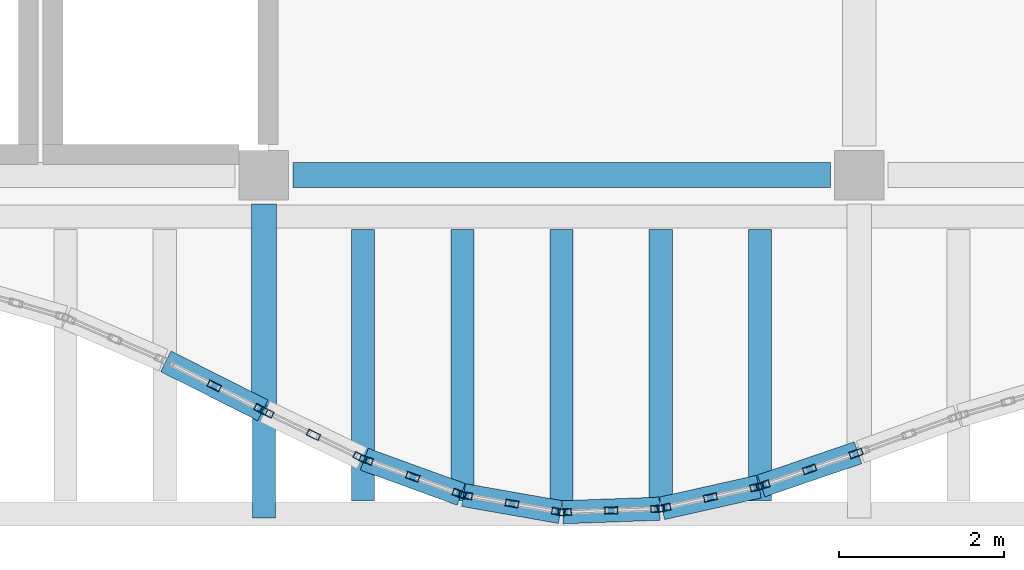
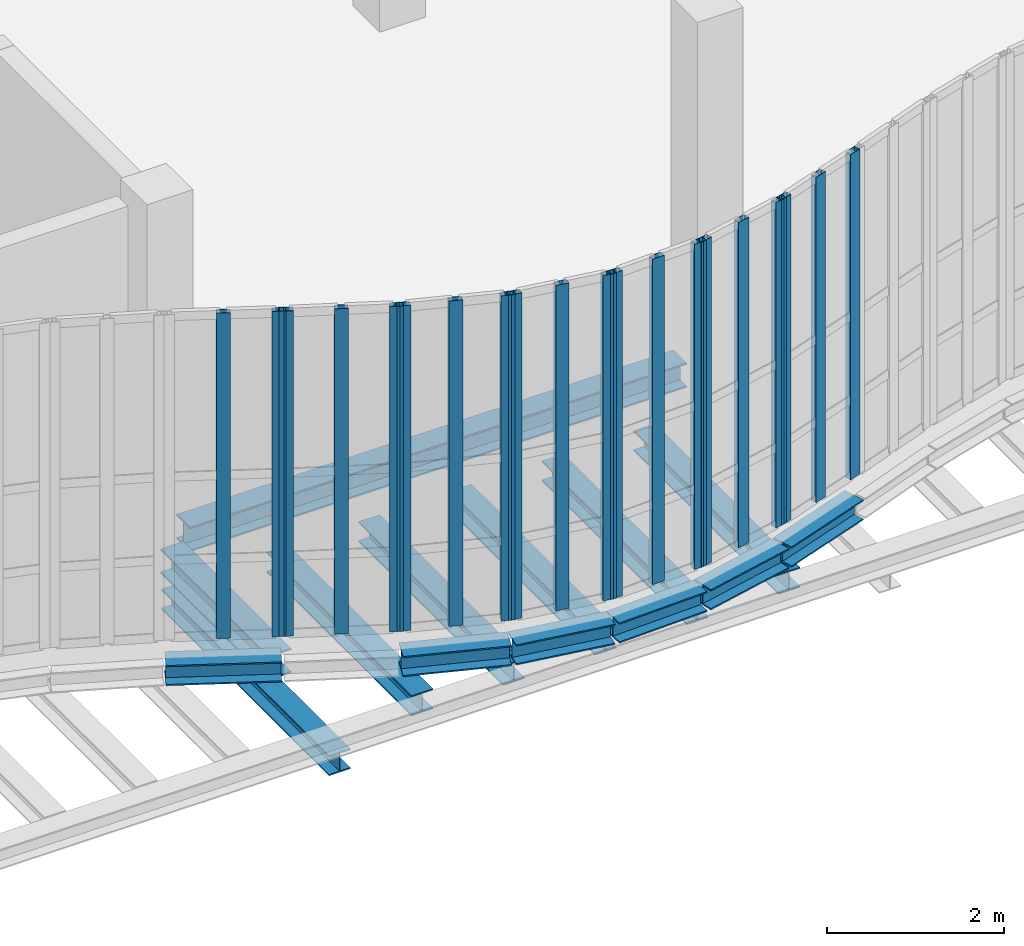
# One storey, part 23 of 105: 20 members, 14 beams, 7 elements without a shape of their own.
"""IFC4 building model written with IfcOpenShell, lengths in metres."""

import ifcopenshell
import ifcopenshell.guid

model = None  # the IFC model being written
_history = None  # IfcOwnerHistory: only IFC2X3 demands one
_inside = {}  # id of a spatial element -> (the spatial element, [elements in it])
_under = {}  # id of a project, library or spatial element -> (it, [spatial elements below it])
_declared = {}  # id of a project -> (the project, [libraries it declares])
_typed = {}  # id of a type object -> (the type object, [elements of that type])
_made_of = {}  # id of a material, layer set ... -> (it, [elements and type objects made of it])


def new_model(schema):
    """Start an empty IFC model of exactly this schema.

    Asked for "IFC4X3", IfcOpenShell would pick the latest addendum, in which some entities
    have other attributes; the version numbers below select the first issue.
    IFC2X3 requires an IfcOwnerHistory on every rooted entity: one is made here for all.
    """
    global model, _history
    if schema == "IFC4X3":
        model = ifcopenshell.file(schema_version=(4, 3, 0, 0))
    else:
        model = ifcopenshell.file(schema=schema)
    _inside.clear()
    _under.clear()
    _declared.clear()
    _typed.clear()
    _made_of.clear()
    _history = None
    if model.schema == "IFC2X3":
        org = make("IfcOrganization", Name="unknown")
        user = make(
            "IfcPersonAndOrganization",
            ThePerson=make("IfcPerson", FamilyName="unknown"),
            TheOrganization=org,
        )
        app = make(
            "IfcApplication",
            ApplicationDeveloper=org,
            Version="unknown",
            ApplicationFullName="unknown",
            ApplicationIdentifier="unknown",
        )
        _history = make(
            "IfcOwnerHistory",
            OwningUser=user,
            OwningApplication=app,
            ChangeAction="ADDED",
            CreationDate=0,
        )
    return model


def make(cls, **values):
    """One entity of the class cls with the attributes given. An attribute that is None is left unset."""
    return model.create_entity(
        cls, **{name: value for name, value in values.items() if value is not None}
    )


def rooted(cls, **values):
    """An entity with a GlobalId (a new one), such as an element, a storey or a relation."""
    return make(cls, GlobalId=ifcopenshell.guid.new(), OwnerHistory=_history, **values)


def si_unit(unit_type, name, prefix=None):
    """IfcSIUnit, for example si_unit("LENGTHUNIT", "METRE", prefix="MILLI")."""
    return make("IfcSIUnit", UnitType=unit_type, Prefix=prefix, Name=name)


def assignment(units):
    """IfcUnitAssignment: the units of a project."""
    return None if units is None else make("IfcUnitAssignment", Units=units)


def point(xyz):
    """IfcCartesianPoint."""
    return None if xyz is None else make("IfcCartesianPoint", Coordinates=xyz)


def direction(xyz):
    """IfcDirection."""
    return None if xyz is None else make("IfcDirection", DirectionRatios=xyz)


def frame(location, z_axis=None, x_axis=None):
    """IfcAxis2Placement3D, a coordinate frame: its origin and axes. An axis left out is left unset."""
    return make(
        "IfcAxis2Placement3D",
        Location=point(location),
        Axis=direction(z_axis),
        RefDirection=direction(x_axis),
    )


def frame_2d(location, x_axis=None):
    """IfcAxis2Placement2D, a coordinate frame in the plane: its origin and x axis."""
    return make(
        "IfcAxis2Placement2D", Location=point(location), RefDirection=direction(x_axis)
    )


def origin():
    """The frame at (0, 0, 0) with its axes left unset."""
    return frame((0.0, 0.0, 0.0))


def origin_2d():
    """The frame at (0, 0) in the plane with its x axis left unset."""
    return frame_2d((0.0, 0.0))


def place(relative_to, where):
    """IfcLocalPlacement: puts the frame where relative to a parent placement (None: the world)."""
    return make(
        "IfcLocalPlacement", PlacementRelTo=relative_to, RelativePlacement=where
    )


def context(
    kind, dimensions, precision=None, world=None, true_north=None, identifier=None
):
    """IfcGeometricRepresentationContext, for example the 3D "Model" context."""
    return make(
        "IfcGeometricRepresentationContext",
        ContextIdentifier=identifier,
        ContextType=kind,
        CoordinateSpaceDimension=dimensions,
        Precision=precision,
        WorldCoordinateSystem=world,
        TrueNorth=true_north,
    )


def subcontext(parent, identifier, kind, view, scale=None):
    """IfcGeometricRepresentationSubContext, for example "Body" below "Model"."""
    return make(
        "IfcGeometricRepresentationSubContext",
        ContextIdentifier=identifier,
        ContextType=kind,
        ParentContext=parent,
        TargetScale=scale,
        TargetView=view,
    )


def project(units=None, contexts=None):
    """IfcProject with its units and contexts."""
    return rooted(
        "IfcProject",
        Name="project",
        RepresentationContexts=contexts,
        UnitsInContext=assignment(units),
    )


def spatial(cls, under=None, at=None, **own):
    """A site, building, storey or space (cls), placed at a placement, below another one or the project."""
    s = rooted(cls, ObjectPlacement=at, **own)
    if under is not None:
        _under.setdefault(under.id(), (under, []))[1].append(s)
    return s


def profile(cls, at=None, kind="AREA", **sizes):
    """A parametric profile (cls). Its sizes go by their IFC names, for example OverallWidth=200.0."""
    return make(cls, ProfileType=kind, Position=at, **sizes)


def hollow_rectangle(**sizes):
    """IfcRectangleHollowProfileDef."""
    return profile("IfcRectangleHollowProfileDef", **sizes)


def i_section(**sizes):
    """IfcIShapeProfileDef."""
    return profile("IfcIShapeProfileDef", **sizes)


def extrude(swept, where, along, depth):
    """IfcExtrudedAreaSolid: the profile swept, set in the frame where, extruded along a direction by depth."""
    return make(
        "IfcExtrudedAreaSolid",
        SweptArea=swept,
        Position=where,
        ExtrudedDirection=direction(along),
        Depth=depth,
    )


def shape(context_of_items, identifier, shape_type, items):
    """IfcShapeRepresentation: the items that make up one representation, for example the "Body"."""
    return make(
        "IfcShapeRepresentation",
        ContextOfItems=context_of_items,
        RepresentationIdentifier=identifier,
        RepresentationType=shape_type,
        Items=items,
    )


def material(Name=None, Category=None):
    """IfcMaterial."""
    return make("IfcMaterial", Name=Name, Category=Category)


def layer(
    of_material, thickness, ventilated=None, Name=None, Category=None, Priority=None
):
    """IfcMaterialLayer: one layer of a wall or slab, of a material (None: an air gap)."""
    return make(
        "IfcMaterialLayer",
        Material=of_material,
        LayerThickness=thickness,
        IsVentilated=ventilated,
        Name=Name,
        Category=Category,
        Priority=Priority,
    )


def layer_set(layers, Name=None):
    """IfcMaterialLayerSet."""
    return make("IfcMaterialLayerSet", MaterialLayers=layers, LayerSetName=Name)


def material_profile(
    of_material, cross_section, Name=None, Category=None, Priority=None
):
    """IfcMaterialProfile: a cross section and its material."""
    return make(
        "IfcMaterialProfile",
        Name=Name,
        Material=of_material,
        Profile=cross_section,
        Priority=Priority,
        Category=Category,
    )


def profile_set(profiles, Name=None, composite=None):
    """IfcMaterialProfileSet."""
    return make(
        "IfcMaterialProfileSet",
        Name=Name,
        MaterialProfiles=profiles,
        CompositeProfile=composite,
    )


def made_of(thing, what):
    """Note that an element or type object is made of a material, layer set ...; save() writes the relation."""
    if what is not None:
        _made_of.setdefault(what.id(), (what, []))[1].append(thing)
    return thing


def type_object(cls, material=None, **own):
    """A type object (cls), such as IfcWallType, which elements share."""
    return made_of(rooted(cls, **own), material)


def element(
    cls,
    number,
    at=None,
    inside=None,
    cuts=None,
    type_object=None,
    material=None,
    context=None,
    identifier="Body",
    shape_type=None,
    held_by="IfcProductDefinitionShape",
    body=None,
    shapes=None,
    **own,
):
    """One element of the class cls, such as IfcWall. Its Tag is "e" and its number.

    at: its placement. inside: the storey or other place that contains it. cuts: it is an
    opening in that element (IfcRelVoidsElement). A single representation is given by context,
    identifier, shape_type and body (its items); several are given by shapes. held_by: the class
    of the entity that holds the representations. save() writes the other relations.
    """
    e = rooted(cls, Tag="e%d" % number, ObjectPlacement=at, **own)
    if body is not None:
        shapes = [shape(context, identifier, shape_type, body)]
    if shapes is not None:
        e.Representation = make(held_by, Representations=shapes)
    if inside is not None:
        _inside.setdefault(inside.id(), (inside, []))[1].append(e)
    if cuts is not None:
        rooted(
            "IfcRelVoidsElement", RelatingBuildingElement=cuts, RelatedOpeningElement=e
        )
    if type_object is not None:
        _typed.setdefault(type_object.id(), (type_object, []))[1].append(e)
    return made_of(e, material)


def aggregate(whole, parts):
    """IfcRelAggregates: a whole, such as a stair, and the parts it consists of."""
    return rooted("IfcRelAggregates", RelatingObject=whole, RelatedObjects=parts)


def save(model, path):
    """Write the relations noted so far, then the file.

    IfcRelAggregates (storeys below a building ...), IfcRelContainedInSpatialStructure (elements
    in a storey), IfcRelDefinesByType, IfcRelAssociatesMaterial and IfcRelDeclares: one each for
    every whole, place, type object, material and project.
    """
    for whole, parts in _under.values():
        aggregate(whole, parts)
    for where, things in _inside.values():
        rooted(
            "IfcRelContainedInSpatialStructure",
            RelatedElements=things,
            RelatingStructure=where,
        )
    for kind, things in _typed.values():
        rooted("IfcRelDefinesByType", RelatedObjects=things, RelatingType=kind)
    for what, things in _made_of.values():
        rooted("IfcRelAssociatesMaterial", RelatedObjects=things, RelatingMaterial=what)
    for by, libraries in _declared.values():
        rooted("IfcRelDeclares", RelatingContext=by, RelatedDefinitions=libraries)
    model.write(path)


model = new_model("IFC4")

# Units and contexts
model_context = context("Model", 3, precision=1e-05, world=origin(), true_north=direction((0.0, 1.0)))
body_context = subcontext(model_context, "Body", "Model", "MODEL_VIEW")
ifc_project = project(units=[si_unit("LENGTHUNIT", "METRE"), si_unit("AREAUNIT", "SQUARE_METRE"), si_unit("VOLUMEUNIT", "CUBIC_METRE"), si_unit("PLANEANGLEUNIT", "RADIAN"), si_unit("MASSUNIT", "GRAM", prefix="KILO"), si_unit("THERMODYNAMICTEMPERATUREUNIT", "KELVIN"), si_unit("POWERUNIT", "WATT")], contexts=[model_context])

# Site, building, storey
site_placement = place(None, origin())
site = spatial("IfcSite", under=ifc_project, at=site_placement, CompositionType="ELEMENT")
building_placement = place(site_placement, origin())
building = spatial("IfcBuilding", under=site, at=building_placement, Name="Kaldorven Railside Theatre", CompositionType="ELEMENT")
storey_placement = place(building_placement, frame((0.0, 0.0, 9.89990234375)))
storey = spatial("IfcBuildingStorey", under=building, at=storey_placement, Name="L02", CompositionType="ELEMENT", Elevation=9.89990234375)

# Beams
ifc_material_1 = material(Name="Steel S355", Category="steel")
ifc_material_profile_1 = material_profile(ifc_material_1, i_section(OverallWidth=0.280029296875, OverallDepth=0.280029296875, WebThickness=0.010498046875, FlangeThickness=0.01806640625, at=origin_2d()), Name="HEB 280")
ifc_profile_set_1 = profile_set([ifc_material_profile_1], Name="Steel S355")
beam_type_1 = type_object("IfcBeamType", Name="BM-HEB280", PredefinedType="SPANDREL", material=ifc_profile_set_1)
beam_1_placement = place(storey_placement, frame((72.800048828125, 15.050048828125, -0.97998046875), z_axis=(0.0, 1.0, 0.0), x_axis=(-1.0, 0.0, 0.0)))
element("IfcBeam", 1, at=beam_1_placement, inside=storey, type_object=beam_type_1, Name="L02 Sinusoidal Lower Cantilever Girder FOB-K018", PredefinedType="SPANDREL", context=body_context, shape_type="SweptSolid", body=[
    extrude(i_section(OverallWidth=0.280029296875, OverallDepth=0.280029296875, WebThickness=0.010498046875, FlangeThickness=0.01806640625, at=origin_2d()), origin(), (0.0, 0.0, 1.0), 3.800048828125),
])
beam_2_placement = place(storey_placement, frame((71.61328125, 16.947509765625, -0.419921875), z_axis=(0.89233799867, -0.451367805819, 0.0), x_axis=(0.451367805819, 0.89233799867, 0.0)))
element("IfcBeam", 2, at=beam_2_placement, inside=storey, type_object=beam_type_1, Name="L02 Sinusoidal Flute Edge Spandrel FSB-102", PredefinedType="SPANDREL", context=body_context, shape_type="SweptSolid", body=[
    extrude(i_section(OverallWidth=0.280029296875, OverallDepth=0.280029296875, WebThickness=0.010498046875, FlangeThickness=0.01806640625, at=origin_2d()), origin(), (0.0, 0.0, 1.0), 1.31494140625),
])
beam_3_placement = place(storey_placement, frame((74.01416015625, 15.763671875, -0.419921875), z_axis=(0.939736236854, -0.341900285382, 0.0), x_axis=(0.341900285382, 0.939736236854, 0.0)))
element("IfcBeam", 3, at=beam_3_placement, inside=storey, type_object=beam_type_1, Name="L02 Sinusoidal Flute Edge Spandrel FSB-104", PredefinedType="SPANDREL", context=body_context, shape_type="SweptSolid", body=[
    extrude(i_section(OverallWidth=0.280029296875, OverallDepth=0.280029296875, WebThickness=0.010498046875, FlangeThickness=0.01806640625, at=origin_2d()), origin(), (0.0, 0.0, 1.0), 1.246826171875),
])
beam_4_placement = place(storey_placement, frame((74.0, 15.260009765625, -0.699951171875), z_axis=(0.0, 1.0, 0.0), x_axis=(-1.0, 0.0, 0.0)))
element("IfcBeam", 4, at=beam_4_placement, inside=storey, type_object=beam_type_1, Name="L02 Sinusoidal Diaphragm Rib Outrigger FOB-M104", PredefinedType="SPANDREL", context=body_context, shape_type="SweptSolid", body=[
    extrude(i_section(OverallWidth=0.280029296875, OverallDepth=0.280029296875, WebThickness=0.010498046875, FlangeThickness=0.01806640625, at=origin_2d()), origin(), (0.0, 0.0, 1.0), 3.280029296875),
])
beam_5_placement = place(storey_placement, frame((75.21484375, 15.32958984375, -0.419921875), z_axis=(0.984888856029, -0.173187589827, 0.0), x_axis=(0.173187589827, 0.984888856029, 0.0)))
element("IfcBeam", 5, at=beam_5_placement, inside=storey, type_object=beam_type_1, Name="L02 Sinusoidal Flute Edge Spandrel FSB-105", PredefinedType="SPANDREL", context=body_context, shape_type="SweptSolid", body=[
    extrude(i_section(OverallWidth=0.280029296875, OverallDepth=0.280029296875, WebThickness=0.010498046875, FlangeThickness=0.01806640625, at=origin_2d()), origin(), (0.0, 0.0, 1.0), 1.1884765625),
])
beam_6_placement = place(storey_placement, frame((75.199951171875, 15.260009765625, -0.699951171875), z_axis=(0.0, 1.0, 0.0), x_axis=(-1.0, 0.0, 0.0)))
element("IfcBeam", 6, at=beam_6_placement, inside=storey, type_object=beam_type_1, Name="L02 Sinusoidal Diaphragm Rib Outrigger FOB-M105", PredefinedType="SPANDREL", context=body_context, shape_type="SweptSolid", body=[
    extrude(i_section(OverallWidth=0.280029296875, OverallDepth=0.280029296875, WebThickness=0.010498046875, FlangeThickness=0.01806640625, at=origin_2d()), origin(), (0.0, 0.0, 1.0), 3.280029296875),
])
beam_7_placement = place(storey_placement, frame((76.4150390625, 15.121826171875, -0.419921875), z_axis=(0.999318542443, 0.036911390236, 0.0), x_axis=(-0.036911390236, 0.999318542443, 0.0)))
element("IfcBeam", 7, at=beam_7_placement, inside=storey, type_object=beam_type_1, Name="L02 Sinusoidal Flute Edge Spandrel FSB-106", PredefinedType="SPANDREL", context=body_context, shape_type="SweptSolid", body=[
    extrude(i_section(OverallWidth=0.280029296875, OverallDepth=0.280029296875, WebThickness=0.010498046875, FlangeThickness=0.01806640625, at=origin_2d()), origin(), (0.0, 0.0, 1.0), 1.170654296875),
])
beam_8_placement = place(storey_placement, frame((76.39990234375, 15.260009765625, -0.699951171875), z_axis=(0.0, 1.0, 0.0), x_axis=(-1.0, 0.0, 0.0)))
element("IfcBeam", 8, at=beam_8_placement, inside=storey, type_object=beam_type_1, Name="L02 Sinusoidal Diaphragm Rib Outrigger FOB-M106", PredefinedType="SPANDREL", context=body_context, shape_type="SweptSolid", body=[
    extrude(i_section(OverallWidth=0.280029296875, OverallDepth=0.280029296875, WebThickness=0.010498046875, FlangeThickness=0.01806640625, at=origin_2d()), origin(), (0.0, 0.0, 1.0), 3.280029296875),
])
beam_9_placement = place(storey_placement, frame((77.614501953125, 15.1689453125, -0.419921875), z_axis=(0.975701165167, 0.219105536882, 0.0), x_axis=(-0.219105536882, 0.975701165167, 0.0)))
element("IfcBeam", 9, at=beam_9_placement, inside=storey, type_object=beam_type_1, Name="L02 Sinusoidal Flute Edge Spandrel FSB-107", PredefinedType="SPANDREL", context=body_context, shape_type="SweptSolid", body=[
    extrude(i_section(OverallWidth=0.280029296875, OverallDepth=0.280029296875, WebThickness=0.010498046875, FlangeThickness=0.01806640625, at=origin_2d()), origin(), (0.0, 0.0, 1.0), 1.199951171875),
])
beam_10_placement = place(storey_placement, frame((77.60009765625, 15.260009765625, -0.699951171875), z_axis=(0.0, 1.0, 0.0), x_axis=(-1.0, 0.0, 0.0)))
element("IfcBeam", 10, at=beam_10_placement, inside=storey, type_object=beam_type_1, Name="L02 Sinusoidal Diaphragm Rib Outrigger FOB-M107", PredefinedType="SPANDREL", context=body_context, shape_type="SweptSolid", body=[
    extrude(i_section(OverallWidth=0.280029296875, OverallDepth=0.280029296875, WebThickness=0.010498046875, FlangeThickness=0.01806640625, at=origin_2d()), origin(), (0.0, 0.0, 1.0), 3.280029296875),
])
beam_11_placement = place(storey_placement, frame((78.814208984375, 15.440185546875, -0.419921875), z_axis=(0.946028856663, 0.324082400574, 0.0), x_axis=(-0.324082400574, 0.946028856663, 0.0)))
element("IfcBeam", 11, at=beam_11_placement, inside=storey, type_object=beam_type_1, Name="L02 Sinusoidal Flute Edge Spandrel FSB-108", PredefinedType="SPANDREL", context=body_context, shape_type="SweptSolid", body=[
    extrude(i_section(OverallWidth=0.280029296875, OverallDepth=0.280029296875, WebThickness=0.010498046875, FlangeThickness=0.01806640625, at=origin_2d()), origin(), (0.0, 0.0, 1.0), 1.238525390625),
])
beam_12_placement = place(storey_placement, frame((78.800048828125, 15.260009765625, -0.699951171875), z_axis=(0.0, 1.0, 0.0), x_axis=(-1.0, 0.0, 0.0)))
element("IfcBeam", 12, at=beam_12_placement, inside=storey, type_object=beam_type_1, Name="L02 Sinusoidal Diaphragm Rib Outrigger FOB-M108", PredefinedType="SPANDREL", context=body_context, shape_type="SweptSolid", body=[
    extrude(i_section(OverallWidth=0.280029296875, OverallDepth=0.280029296875, WebThickness=0.010498046875, FlangeThickness=0.01806640625, at=origin_2d()), origin(), (0.0, 0.0, 1.0), 3.280029296875),
])
ifc_material_profile_2 = material_profile(ifc_material_1, i_section(OverallWidth=0.300048828125, OverallDepth=0.340087890625, WebThickness=0.011962890625, FlangeThickness=0.021484375, at=origin_2d()), Name="HEB 340")
ifc_profile_set_2 = profile_set([ifc_material_profile_2], Name="Steel S355")
beam_type_2 = type_object("IfcBeamType", Name="BM-HEB340", PredefinedType="SPANDREL", material=ifc_profile_set_2)
beam_13_placement = place(storey_placement, frame((73.14990234375, 19.199951171875, -0.449951171875), z_axis=(1.0, 0.0, 0.0), x_axis=(0.0, 1.0, 0.0)))
element("IfcBeam", 13, at=beam_13_placement, inside=storey, type_object=beam_type_2, Name="L02 Girder BGX-L02-072-019", PredefinedType="SPANDREL", context=body_context, shape_type="SweptSolid", body=[
    extrude(i_section(OverallWidth=0.300048828125, OverallDepth=0.340087890625, WebThickness=0.011962890625, FlangeThickness=0.021484375, at=origin_2d()), origin(), (0.0, 0.0, 1.0), 6.5),
])
beam_14_placement = place(storey_placement, frame((72.800048828125, 16.4072265625, -0.449951171875), z_axis=(0.0, 1.0, 0.0), x_axis=(-1.0, 0.0, 0.0)))
element("IfcBeam", 14, at=beam_14_placement, inside=storey, type_object=beam_type_2, Name="L02 Sinusoidal Veil Outrigger FOB-2072", PredefinedType="SPANDREL", context=body_context, shape_type="SweptSolid", body=[
    extrude(i_section(OverallWidth=0.300048828125, OverallDepth=0.340087890625, WebThickness=0.011962890625, FlangeThickness=0.021484375, at=origin_2d()), origin(), (0.0, 0.0, 1.0), 2.44287109375),
])

# Curtain wall, members
ifc_material_2 = material(Name="Low-E laminated solar-control glass", Category="glass")
ifc_layer_1 = layer(ifc_material_2, 0.159912109375, Name="Low-E laminated solar-control glass")
ifc_layer_set_1 = layer_set([ifc_layer_1], Name="Low-E laminated solar-control glass")
curtain_wall_type_1 = type_object("IfcCurtainWallType", Name="CWT-06", PredefinedType="USERDEFINED", material=ifc_layer_set_1)
curtain_wall_1_placement = place(storey_placement, origin())
curtain_wall_1 = element("IfcCurtainWall", 15, at=curtain_wall_1_placement, inside=storey, type_object=curtain_wall_type_1, Name="Sinusoidal Fluted Curtain Wall CW-L02-S30", ObjectType="FLUTED GLAZING", PredefinedType="USERDEFINED")
ifc_material_3 = material(Name="Anodised bronze aluminium", Category="aluminium")
ifc_material_profile_3 = material_profile(ifc_material_3, hollow_rectangle(XDim=0.080078125, YDim=0.159912109375, WallThickness=0.00634765625, at=origin_2d()), Name="RHS 160x80x6.3")
ifc_profile_set_3 = profile_set([ifc_material_profile_3], Name="Anodised bronze aluminium")
member_type = type_object("IfcMemberType", Name="CWM-160", PredefinedType="MULLION", material=ifc_profile_set_3)
member_1_placement = place(storey_placement, frame((72.199951171875, 16.65087890625, 0.0), z_axis=(0.0, 0.0, 1.0), x_axis=(0.451432188451, 0.89230542934, 0.0)))
member_1 = element("IfcMember", 16, at=member_1_placement, type_object=member_type, Name="CW-L02-S30 mullion 2", PredefinedType="MULLION", context=body_context, shape_type="SweptSolid", body=[
    extrude(hollow_rectangle(XDim=0.080078125, YDim=0.159912109375, WallThickness=0.00634765625, at=origin_2d()), origin(), (0.0, 0.0, 1.0), 4.5),
])
member_2_placement = place(storey_placement, frame((72.764404296875, 16.365478515625, 0.0), z_axis=(0.0, 0.0, 1.0), x_axis=(0.451432188451, 0.89230542934, 0.0)))
member_2 = element("IfcMember", 17, at=member_2_placement, type_object=member_type, Name="CW-L02-S30 mullion 3", PredefinedType="MULLION", context=body_context, shape_type="SweptSolid", body=[
    extrude(hollow_rectangle(XDim=0.080078125, YDim=0.159912109375, WallThickness=0.00634765625, at=origin_2d()), origin(), (0.0, 0.0, 1.0), 4.5),
])
aggregate(curtain_wall_1, [member_1, member_2])

curtain_wall_2_placement = place(storey_placement, origin())
curtain_wall_2 = element("IfcCurtainWall", 18, at=curtain_wall_2_placement, inside=storey, type_object=curtain_wall_type_1, Name="Sinusoidal Fluted Curtain Wall CW-L02-S31", ObjectType="FLUTED GLAZING", PredefinedType="USERDEFINED")
member_3_placement = place(storey_placement, frame((72.8359375, 16.329833984375, 0.0), z_axis=(0.0, 0.0, 1.0), x_axis=(0.434255680006, 0.900789656015, 0.0)))
member_3 = element("IfcMember", 19, at=member_3_placement, type_object=member_type, Name="CW-L02-S31 mullion 1", PredefinedType="MULLION", context=body_context, shape_type="SweptSolid", body=[
    extrude(hollow_rectangle(XDim=0.080078125, YDim=0.159912109375, WallThickness=0.00634765625, at=origin_2d()), origin(), (0.0, 0.0, 1.0), 4.5),
])
member_4_placement = place(storey_placement, frame((73.39990234375, 16.05810546875, 0.0), z_axis=(0.0, 0.0, 1.0), x_axis=(0.434255680006, 0.900789656015, 0.0)))
member_4 = element("IfcMember", 20, at=member_4_placement, type_object=member_type, Name="CW-L02-S31 mullion 2", PredefinedType="MULLION", context=body_context, shape_type="SweptSolid", body=[
    extrude(hollow_rectangle(XDim=0.080078125, YDim=0.159912109375, WallThickness=0.00634765625, at=origin_2d()), origin(), (0.0, 0.0, 1.0), 4.5),
])
member_5_placement = place(storey_placement, frame((73.9638671875, 15.7861328125, 0.0), z_axis=(0.0, 0.0, 1.0), x_axis=(0.434255680006, 0.900789656015, 0.0)))
member_5 = element("IfcMember", 21, at=member_5_placement, type_object=member_type, Name="CW-L02-S31 mullion 3", PredefinedType="MULLION", context=body_context, shape_type="SweptSolid", body=[
    extrude(hollow_rectangle(XDim=0.080078125, YDim=0.159912109375, WallThickness=0.00634765625, at=origin_2d()), origin(), (0.0, 0.0, 1.0), 4.5),
])
aggregate(curtain_wall_2, [member_3, member_4, member_5])

ifc_layer_2 = layer(ifc_material_2, 0.159912109375, Name="Low-E laminated solar-control glass")
ifc_layer_set_2 = layer_set([ifc_layer_2], Name="Low-E laminated solar-control glass")
curtain_wall_type_2 = type_object("IfcCurtainWallType", Name="CWT-01", PredefinedType="USERDEFINED", material=ifc_layer_set_2)
curtain_wall_3_placement = place(storey_placement, origin())
curtain_wall_3 = element("IfcCurtainWall", 22, at=curtain_wall_3_placement, inside=storey, type_object=curtain_wall_type_2, Name="Sinusoidal Fluted Curtain Wall CW-L02-S32", ObjectType="FLUTED GLAZING", PredefinedType="USERDEFINED")
member_6_placement = place(storey_placement, frame((74.03759765625, 15.755126953125, 0.0), z_axis=(0.0, 0.0, 1.0), x_axis=(0.341837380258, 0.939759120976, 0.0)))
member_6 = element("IfcMember", 23, at=member_6_placement, type_object=member_type, Name="CW-L02-S32 mullion 1", PredefinedType="MULLION", context=body_context, shape_type="SweptSolid", body=[
    extrude(hollow_rectangle(XDim=0.080078125, YDim=0.159912109375, WallThickness=0.00634765625, at=origin_2d()), origin(), (0.0, 0.0, 1.0), 4.5),
])
member_7_placement = place(storey_placement, frame((74.60009765625, 15.550537109375, 0.0), z_axis=(0.0, 0.0, 1.0), x_axis=(0.341837380258, 0.939759120976, 0.0)))
member_7 = element("IfcMember", 24, at=member_7_placement, type_object=member_type, Name="CW-L02-S32 mullion 2", PredefinedType="MULLION", context=body_context, shape_type="SweptSolid", body=[
    extrude(hollow_rectangle(XDim=0.080078125, YDim=0.159912109375, WallThickness=0.00634765625, at=origin_2d()), origin(), (0.0, 0.0, 1.0), 4.5),
])
member_8_placement = place(storey_placement, frame((75.162353515625, 15.345947265625, 0.0), z_axis=(0.0, 0.0, 1.0), x_axis=(0.341837380258, 0.939759120976, 0.0)))
member_8 = element("IfcMember", 25, at=member_8_placement, type_object=member_type, Name="CW-L02-S32 mullion 3", PredefinedType="MULLION", context=body_context, shape_type="SweptSolid", body=[
    extrude(hollow_rectangle(XDim=0.080078125, YDim=0.159912109375, WallThickness=0.00634765625, at=origin_2d()), origin(), (0.0, 0.0, 1.0), 4.5),
])
aggregate(curtain_wall_3, [member_6, member_7, member_8])

ifc_layer_3 = layer(ifc_material_2, 0.159912109375, Name="Low-E laminated solar-control glass")
ifc_layer_set_3 = layer_set([ifc_layer_3], Name="Low-E laminated solar-control glass")
curtain_wall_type_3 = type_object("IfcCurtainWallType", Name="CWT-07", PredefinedType="USERDEFINED", material=ifc_layer_set_3)
curtain_wall_4_placement = place(storey_placement, origin())
curtain_wall_4 = element("IfcCurtainWall", 26, at=curtain_wall_4_placement, inside=storey, type_object=curtain_wall_type_3, Name="Sinusoidal Fluted Curtain Wall CW-L02-S33", ObjectType="FLUTED GLAZING", PredefinedType="USERDEFINED")
member_9_placement = place(storey_placement, frame((75.239501953125, 15.325439453125, 0.0), z_axis=(0.0, 0.0, 1.0), x_axis=(0.173256240507, 0.984876781697, 0.0)))
member_9 = element("IfcMember", 27, at=member_9_placement, type_object=member_type, Name="CW-L02-S33 mullion 1", PredefinedType="MULLION", context=body_context, shape_type="SweptSolid", body=[
    extrude(hollow_rectangle(XDim=0.080078125, YDim=0.159912109375, WallThickness=0.00634765625, at=origin_2d()), origin(), (0.0, 0.0, 1.0), 4.5),
])
member_10_placement = place(storey_placement, frame((75.800048828125, 15.226806640625, 0.0), z_axis=(0.0, 0.0, 1.0), x_axis=(0.173256240507, 0.984876781697, 0.0)))
member_10 = element("IfcMember", 28, at=member_10_placement, type_object=member_type, Name="CW-L02-S33 mullion 2", PredefinedType="MULLION", context=body_context, shape_type="SweptSolid", body=[
    extrude(hollow_rectangle(XDim=0.080078125, YDim=0.159912109375, WallThickness=0.00634765625, at=origin_2d()), origin(), (0.0, 0.0, 1.0), 4.5),
])
member_11_placement = place(storey_placement, frame((76.360595703125, 15.128173828125, 0.0), z_axis=(0.0, 0.0, 1.0), x_axis=(0.173256240507, 0.984876781697, 0.0)))
member_11 = element("IfcMember", 29, at=member_11_placement, type_object=member_type, Name="CW-L02-S33 mullion 3", PredefinedType="MULLION", context=body_context, shape_type="SweptSolid", body=[
    extrude(hollow_rectangle(XDim=0.080078125, YDim=0.159912109375, WallThickness=0.00634765625, at=origin_2d()), origin(), (0.0, 0.0, 1.0), 4.5),
])
aggregate(curtain_wall_4, [member_9, member_10, member_11])

ifc_layer_4 = layer(ifc_material_2, 0.159912109375, Name="Low-E laminated solar-control glass")
ifc_layer_set_4 = layer_set([ifc_layer_4], Name="Low-E laminated solar-control glass")
curtain_wall_type_4 = type_object("IfcCurtainWallType", Name="CWT-03", PredefinedType="USERDEFINED", material=ifc_layer_set_4)
curtain_wall_5_placement = place(storey_placement, origin())
curtain_wall_5 = element("IfcCurtainWall", 30, at=curtain_wall_5_placement, inside=storey, type_object=curtain_wall_type_4, Name="Sinusoidal Fluted Curtain Wall CW-L02-S34", ObjectType="FLUTED GLAZING", PredefinedType="USERDEFINED")
member_12_placement = place(storey_placement, frame((76.43994140625, 15.122802734375, 0.0), z_axis=(0.0, 0.0, 1.0), x_axis=(-0.037057861594, 0.999313121546, 0.0)))
member_12 = element("IfcMember", 31, at=member_12_placement, type_object=member_type, Name="CW-L02-S34 mullion 1", PredefinedType="MULLION", context=body_context, shape_type="SweptSolid", body=[
    extrude(hollow_rectangle(XDim=0.080078125, YDim=0.159912109375, WallThickness=0.00634765625, at=origin_2d()), origin(), (0.0, 0.0, 1.0), 4.5),
])
member_13_placement = place(storey_placement, frame((77.0, 15.1435546875, 0.0), z_axis=(0.0, 0.0, 1.0), x_axis=(-0.037057861594, 0.999313121546, 0.0)))
member_13 = element("IfcMember", 32, at=member_13_placement, type_object=member_type, Name="CW-L02-S34 mullion 2", PredefinedType="MULLION", context=body_context, shape_type="SweptSolid", body=[
    extrude(hollow_rectangle(XDim=0.080078125, YDim=0.159912109375, WallThickness=0.00634765625, at=origin_2d()), origin(), (0.0, 0.0, 1.0), 4.5),
])
member_14_placement = place(storey_placement, frame((77.56005859375, 15.164306640625, 0.0), z_axis=(0.0, 0.0, 1.0), x_axis=(-0.037057861594, 0.999313121546, 0.0)))
member_14 = element("IfcMember", 33, at=member_14_placement, type_object=member_type, Name="CW-L02-S34 mullion 3", PredefinedType="MULLION", context=body_context, shape_type="SweptSolid", body=[
    extrude(hollow_rectangle(XDim=0.080078125, YDim=0.159912109375, WallThickness=0.00634765625, at=origin_2d()), origin(), (0.0, 0.0, 1.0), 4.5),
])
aggregate(curtain_wall_5, [member_12, member_13, member_14])

ifc_layer_5 = layer(ifc_material_2, 0.159912109375, Name="Low-E laminated solar-control glass")
ifc_layer_set_5 = layer_set([ifc_layer_5], Name="Low-E laminated solar-control glass")
curtain_wall_type_5 = type_object("IfcCurtainWallType", Name="CWT-02", PredefinedType="USERDEFINED", material=ifc_layer_set_5)
curtain_wall_6_placement = place(storey_placement, origin())
curtain_wall_6 = element("IfcCurtainWall", 34, at=curtain_wall_6_placement, inside=storey, type_object=curtain_wall_type_5, Name="Sinusoidal Fluted Curtain Wall CW-L02-S35", ObjectType="FLUTED GLAZING", PredefinedType="USERDEFINED")
member_15_placement = place(storey_placement, frame((77.638916015625, 15.174560546875, 0.0), z_axis=(0.0, 0.0, 1.0), x_axis=(-0.219202628857, 0.975679356911, 0.0)))
member_15 = element("IfcMember", 35, at=member_15_placement, type_object=member_type, Name="CW-L02-S35 mullion 1", PredefinedType="MULLION", context=body_context, shape_type="SweptSolid", body=[
    extrude(hollow_rectangle(XDim=0.080078125, YDim=0.159912109375, WallThickness=0.00634765625, at=origin_2d()), origin(), (0.0, 0.0, 1.0), 4.5),
])
member_16_placement = place(storey_placement, frame((78.199951171875, 15.300537109375, 0.0), z_axis=(0.0, 0.0, 1.0), x_axis=(-0.219202628857, 0.975679356911, 0.0)))
member_16 = element("IfcMember", 36, at=member_16_placement, type_object=member_type, Name="CW-L02-S35 mullion 2", PredefinedType="MULLION", context=body_context, shape_type="SweptSolid", body=[
    extrude(hollow_rectangle(XDim=0.080078125, YDim=0.159912109375, WallThickness=0.00634765625, at=origin_2d()), origin(), (0.0, 0.0, 1.0), 4.5),
])
member_17_placement = place(storey_placement, frame((78.760986328125, 15.426513671875, 0.0), z_axis=(0.0, 0.0, 1.0), x_axis=(-0.219202628857, 0.975679356911, 0.0)))
member_17 = element("IfcMember", 37, at=member_17_placement, type_object=member_type, Name="CW-L02-S35 mullion 3", PredefinedType="MULLION", context=body_context, shape_type="SweptSolid", body=[
    extrude(hollow_rectangle(XDim=0.080078125, YDim=0.159912109375, WallThickness=0.00634765625, at=origin_2d()), origin(), (0.0, 0.0, 1.0), 4.5),
])
aggregate(curtain_wall_6, [member_15, member_16, member_17])

ifc_layer_6 = layer(ifc_material_2, 0.159912109375, Name="Low-E laminated solar-control glass")
ifc_layer_set_6 = layer_set([ifc_layer_6], Name="Low-E laminated solar-control glass")
curtain_wall_type_6 = type_object("IfcCurtainWallType", Name="CWT-04", PredefinedType="USERDEFINED", material=ifc_layer_set_6)
curtain_wall_7_placement = place(storey_placement, origin())
curtain_wall_7 = element("IfcCurtainWall", 38, at=curtain_wall_7_placement, inside=storey, type_object=curtain_wall_type_6, Name="Sinusoidal Fluted Curtain Wall CW-L02-S36", ObjectType="FLUTED GLAZING", PredefinedType="USERDEFINED")
member_18_placement = place(storey_placement, frame((78.837890625, 15.4482421875, 0.0), z_axis=(0.0, 0.0, 1.0), x_axis=(-0.324092530311, 0.946025386444, 0.0)))
member_18 = element("IfcMember", 39, at=member_18_placement, type_object=member_type, Name="CW-L02-S36 mullion 1", PredefinedType="MULLION", context=body_context, shape_type="SweptSolid", body=[
    extrude(hollow_rectangle(XDim=0.080078125, YDim=0.159912109375, WallThickness=0.00634765625, at=origin_2d()), origin(), (0.0, 0.0, 1.0), 4.5),
])
member_19_placement = place(storey_placement, frame((79.39990234375, 15.640869140625, 0.0), z_axis=(0.0, 0.0, 1.0), x_axis=(-0.324092530311, 0.946025386444, 0.0)))
member_19 = element("IfcMember", 40, at=member_19_placement, type_object=member_type, Name="CW-L02-S36 mullion 2", PredefinedType="MULLION", context=body_context, shape_type="SweptSolid", body=[
    extrude(hollow_rectangle(XDim=0.080078125, YDim=0.159912109375, WallThickness=0.00634765625, at=origin_2d()), origin(), (0.0, 0.0, 1.0), 4.5),
])
member_20_placement = place(storey_placement, frame((79.962158203125, 15.83349609375, 0.0), z_axis=(0.0, 0.0, 1.0), x_axis=(-0.324092530311, 0.946025386444, 0.0)))
member_20 = element("IfcMember", 41, at=member_20_placement, type_object=member_type, Name="CW-L02-S36 mullion 3", PredefinedType="MULLION", context=body_context, shape_type="SweptSolid", body=[
    extrude(hollow_rectangle(XDim=0.080078125, YDim=0.159912109375, WallThickness=0.00634765625, at=origin_2d()), origin(), (0.0, 0.0, 1.0), 4.5),
])
aggregate(curtain_wall_7, [member_18, member_19, member_20])

save(model, "model.ifc")
